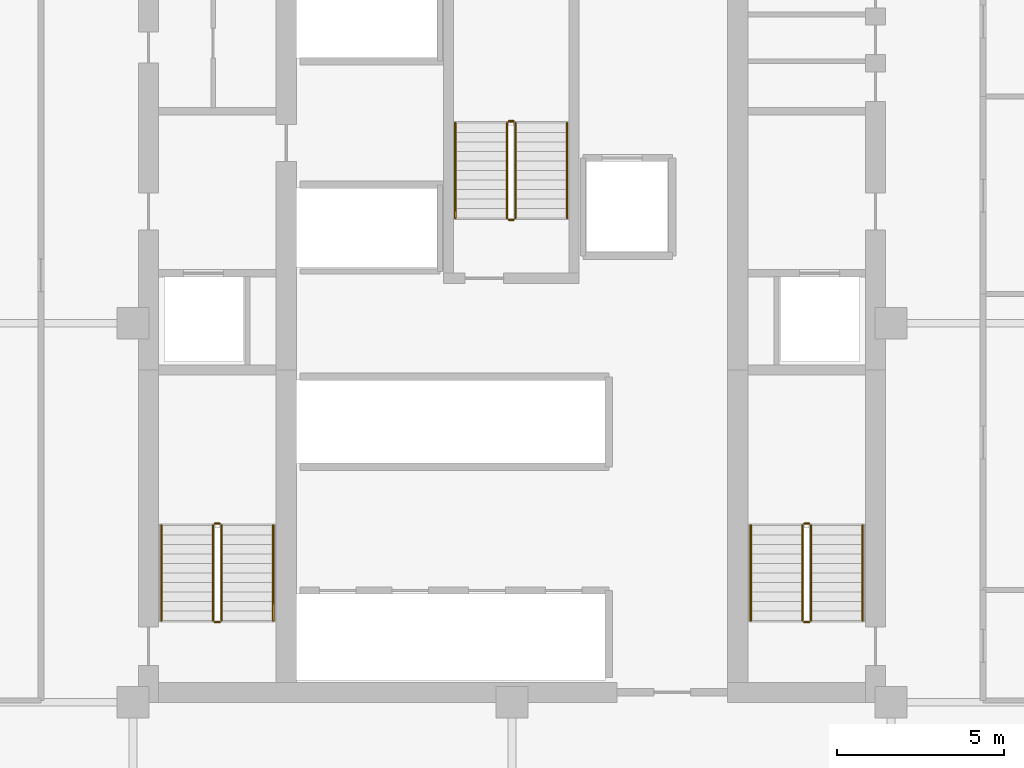
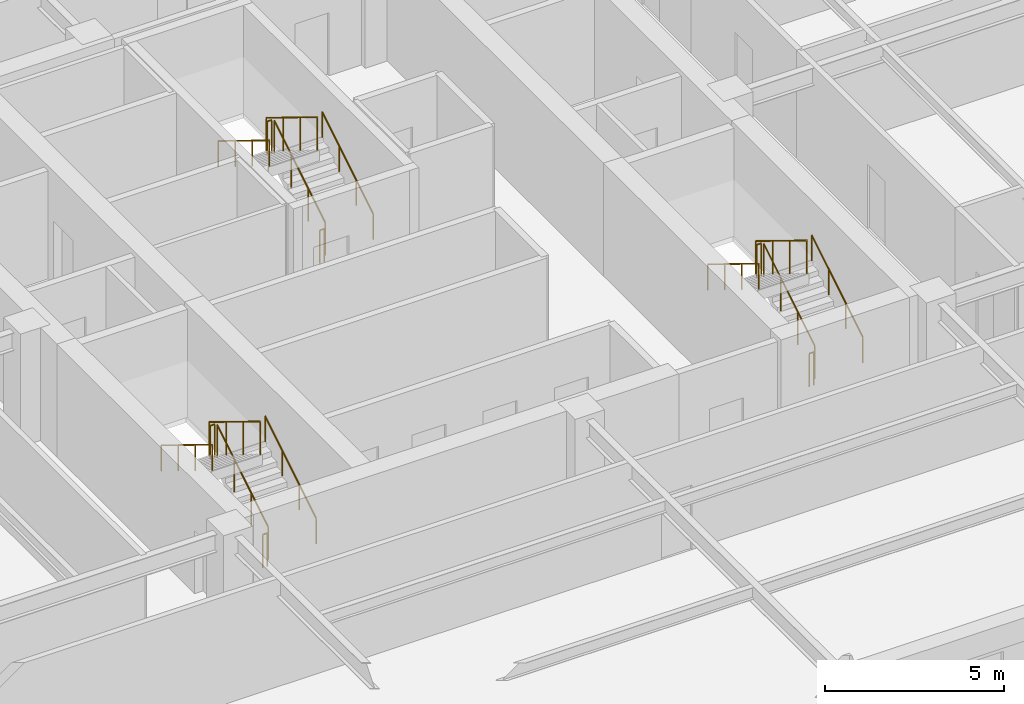
# One storey, part 6 of 6: 18 railings.
"""IFC4 building model written with IfcOpenShell, lengths in metres."""

from ifc_helpers import new_model, si_unit, direction, frame, origin, origin_2d, place, context, subcontext, project, spatial, circle, extrude, material, type_object, element, save


model = new_model("IFC4")

# Units and contexts
model_context = context("Model", 3, precision=1e-05, world=origin(), true_north=direction((0.0, 1.0)))
body_context = subcontext(model_context, "Body", "Model", "MODEL_VIEW")
ifc_project = project(units=[si_unit("LENGTHUNIT", "METRE"), si_unit("AREAUNIT", "SQUARE_METRE"), si_unit("VOLUMEUNIT", "CUBIC_METRE"), si_unit("PLANEANGLEUNIT", "RADIAN"), si_unit("MASSUNIT", "GRAM", prefix="KILO")], contexts=[model_context])

# Site, building, storey
site_placement = place(None, origin())
site = spatial("IfcSite", under=ifc_project, at=site_placement, CompositionType="ELEMENT")
building_placement = place(site_placement, origin())
building = spatial("IfcBuilding", under=site, at=building_placement, Name="Nhamokura Convention Tower", CompositionType="ELEMENT")
storey_placement = place(building_placement, frame((0.0, 0.0, 152.949951171875)))
storey = spatial("IfcBuildingStorey", under=building, at=storey_placement, Name="L37", CompositionType="ELEMENT", Elevation=152.949951171875)

# Railings
ifc_material_1 = material(Name="Anodised bronze stainless steel", Category="steel")
railing_type_1 = type_object("IfcRailingType", Name="StairWallHandrail_900", PredefinedType="HANDRAIL", material=ifc_material_1)
railing_1_placement = place(storey_placement, frame((24.85009765625, 23.10009765625, 0.175048828125)))
element("IfcRailing", 1, at=railing_1_placement, inside=storey, type_object=railing_type_1, Name="L37 ST-01 stair handrail 1", PredefinedType="HANDRAIL", context=body_context, shape_type="SweptSolid", body=[
    extrude(circle(Radius=0.02392578125, at=origin_2d()), frame((0.0, 0.0, 0.8759765625), z_axis=(0.0, 0.852159232446, 0.523282564737), x_axis=(-1.0, 0.0, 0.0)), (0.0, 0.0, 1.0), 3.34423828125),
    extrude(circle(Radius=0.02099609375, at=origin_2d()), origin(), (0.0, 0.0, 1.0), 0.851806640625),
    extrude(circle(Radius=0.02099609375, at=origin_2d()), frame((0.0, 0.949951171875, 0.583251953125)), (0.0, 0.0, 1.0), 0.851806640625),
    extrude(circle(Radius=0.02099609375, at=origin_2d()), frame((0.0, 1.89990234375, 1.166748046875)), (0.0, 0.0, 1.0), 0.851806640625),
    extrude(circle(Radius=0.02099609375, at=origin_2d()), frame((0.0, 2.849853515625, 1.75)), (0.0, 0.0, 1.0), 0.851806640625),
])
railing_2_placement = place(storey_placement, frame((21.5, 25.949951171875, 2.10009765625)))
element("IfcRailing", 2, at=railing_2_placement, inside=storey, type_object=railing_type_1, Name="L37 ST-01 stair handrail 2", PredefinedType="HANDRAIL", context=body_context, shape_type="SweptSolid", body=[
    extrude(circle(Radius=0.02392578125, at=origin_2d()), frame((0.0, 0.0, 0.8759765625), z_axis=(0.0, -0.852159232446, 0.523282564737), x_axis=(1.0, 0.0, 0.0)), (0.0, 0.0, 1.0), 3.34423828125),
    extrude(circle(Radius=0.02099609375, at=origin_2d()), origin(), (0.0, 0.0, 1.0), 0.851806640625),
    extrude(circle(Radius=0.02099609375, at=origin_2d()), frame((0.0, -0.949951171875, 0.583251953125)), (0.0, 0.0, 1.0), 0.851806640625),
    extrude(circle(Radius=0.02099609375, at=origin_2d()), frame((0.0, -1.89990234375, 1.166748046875)), (0.0, 0.0, 1.0), 0.851806640625),
    extrude(circle(Radius=0.02099609375, at=origin_2d()), frame((0.0, -2.849853515625, 1.75)), (0.0, 0.0, 1.0), 0.851806640625),
])
railing_3_placement = place(storey_placement, frame((42.5, 23.10009765625, 0.175048828125)))
element("IfcRailing", 3, at=railing_3_placement, inside=storey, type_object=railing_type_1, Name="L37 ST-02 stair handrail 1", PredefinedType="HANDRAIL", context=body_context, shape_type="SweptSolid", body=[
    extrude(circle(Radius=0.02392578125, at=origin_2d()), frame((0.0, 0.0, 0.8759765625), z_axis=(0.0, 0.852159232446, 0.523282564737), x_axis=(-1.0, 0.0, 0.0)), (0.0, 0.0, 1.0), 3.34423828125),
    extrude(circle(Radius=0.02099609375, at=origin_2d()), origin(), (0.0, 0.0, 1.0), 0.851806640625),
    extrude(circle(Radius=0.02099609375, at=origin_2d()), frame((0.0, 0.949951171875, 0.583251953125)), (0.0, 0.0, 1.0), 0.851806640625),
    extrude(circle(Radius=0.02099609375, at=origin_2d()), frame((0.0, 1.89990234375, 1.166748046875)), (0.0, 0.0, 1.0), 0.851806640625),
    extrude(circle(Radius=0.02099609375, at=origin_2d()), frame((0.0, 2.849853515625, 1.75)), (0.0, 0.0, 1.0), 0.851806640625),
])
railing_4_placement = place(storey_placement, frame((39.14990234375, 25.949951171875, 2.10009765625)))
element("IfcRailing", 4, at=railing_4_placement, inside=storey, type_object=railing_type_1, Name="L37 ST-02 stair handrail 2", PredefinedType="HANDRAIL", context=body_context, shape_type="SweptSolid", body=[
    extrude(circle(Radius=0.02392578125, at=origin_2d()), frame((0.0, 0.0, 0.8759765625), z_axis=(0.0, -0.852159232446, 0.523282564737), x_axis=(1.0, 0.0, 0.0)), (0.0, 0.0, 1.0), 3.34423828125),
    extrude(circle(Radius=0.02099609375, at=origin_2d()), origin(), (0.0, 0.0, 1.0), 0.851806640625),
    extrude(circle(Radius=0.02099609375, at=origin_2d()), frame((0.0, -0.949951171875, 0.583251953125)), (0.0, 0.0, 1.0), 0.851806640625),
    extrude(circle(Radius=0.02099609375, at=origin_2d()), frame((0.0, -1.89990234375, 1.166748046875)), (0.0, 0.0, 1.0), 0.851806640625),
    extrude(circle(Radius=0.02099609375, at=origin_2d()), frame((0.0, -2.849853515625, 1.75)), (0.0, 0.0, 1.0), 0.851806640625),
])
railing_5_placement = place(storey_placement, frame((33.64990234375, 35.14990234375, 0.175048828125)))
element("IfcRailing", 5, at=railing_5_placement, inside=storey, type_object=railing_type_1, Name="L37 ST-03 stair handrail 1", PredefinedType="HANDRAIL", context=body_context, shape_type="SweptSolid", body=[
    extrude(circle(Radius=0.02392578125, at=origin_2d()), frame((0.0, 0.0, 0.8759765625), z_axis=(0.0, 0.852179220489, 0.52325001306), x_axis=(-1.0, 0.0, 0.0)), (0.0, 0.0, 1.0), 3.344482421875),
    extrude(circle(Radius=0.02099609375, at=origin_2d()), origin(), (0.0, 0.0, 1.0), 0.851806640625),
    extrude(circle(Radius=0.02099609375, at=origin_2d()), frame((0.0, 0.949951171875, 0.583251953125)), (0.0, 0.0, 1.0), 0.851806640625),
    extrude(circle(Radius=0.02099609375, at=origin_2d()), frame((0.0, 1.900146484375, 1.166748046875)), (0.0, 0.0, 1.0), 0.851806640625),
    extrude(circle(Radius=0.02099609375, at=origin_2d()), frame((0.0, 2.85009765625, 1.75)), (0.0, 0.0, 1.0), 0.851806640625),
])
railing_6_placement = place(storey_placement, frame((30.300048828125, 38.0, 2.10009765625)))
element("IfcRailing", 6, at=railing_6_placement, inside=storey, type_object=railing_type_1, Name="L37 ST-03 stair handrail 2", PredefinedType="HANDRAIL", context=body_context, shape_type="SweptSolid", body=[
    extrude(circle(Radius=0.02392578125, at=origin_2d()), frame((0.0, 0.0, 0.8759765625), z_axis=(0.0, -0.852179220489, 0.52325001306), x_axis=(1.0, 0.0, 0.0)), (0.0, 0.0, 1.0), 3.344482421875),
    extrude(circle(Radius=0.02099609375, at=origin_2d()), origin(), (0.0, 0.0, 1.0), 0.851806640625),
    extrude(circle(Radius=0.02099609375, at=origin_2d()), frame((0.0, -0.949951171875, 0.583251953125)), (0.0, 0.0, 1.0), 0.851806640625),
    extrude(circle(Radius=0.02099609375, at=origin_2d()), frame((0.0, -1.900146484375, 1.166748046875)), (0.0, 0.0, 1.0), 0.851806640625),
    extrude(circle(Radius=0.02099609375, at=origin_2d()), frame((0.0, -2.85009765625, 1.75)), (0.0, 0.0, 1.0), 0.851806640625),
])
ifc_material_2 = material(Name="Painted tubular steel", Category="steel")
railing_type_2 = type_object("IfcRailingType", Name="StairWellGuardrail_1150", PredefinedType="GUARDRAIL", material=ifc_material_2)
railing_7_placement = place(storey_placement, frame((23.300048828125, 23.10009765625, 0.175048828125)))
element("IfcRailing", 7, at=railing_7_placement, inside=storey, type_object=railing_type_2, Name="L37 ST-01 stair guard 1", PredefinedType="GUARDRAIL", context=body_context, shape_type="SweptSolid", body=[
    extrude(circle(Radius=0.02392578125, at=origin_2d()), frame((0.0, 0.0, 1.1259765625), z_axis=(0.0, 0.852159232446, 0.523282564737), x_axis=(-1.0, 0.0, 0.0)), (0.0, 0.0, 1.0), 3.34423828125),
    extrude(circle(Radius=0.02099609375, at=origin_2d()), origin(), (0.0, 0.0, 1.0), 1.101806640625),
    extrude(circle(Radius=0.02099609375, at=origin_2d()), frame((0.0, 0.949951171875, 0.583251953125)), (0.0, 0.0, 1.0), 1.101806640625),
    extrude(circle(Radius=0.02099609375, at=origin_2d()), frame((0.0, 1.89990234375, 1.166748046875)), (0.0, 0.0, 1.0), 1.101806640625),
    extrude(circle(Radius=0.02099609375, at=origin_2d()), frame((0.0, 2.849853515625, 1.75)), (0.0, 0.0, 1.0), 1.101806640625),
])
railing_8_placement = place(storey_placement, frame((23.25, 26.0, 1.925048828125)))
element("IfcRailing", 8, at=railing_8_placement, inside=storey, type_object=railing_type_2, Name="L37 ST-01 stair guard 2", PredefinedType="GUARDRAIL", context=body_context, shape_type="SweptSolid", body=[
    extrude(circle(Radius=0.02392578125, at=origin_2d()), frame((0.0, 0.0, 1.1259765625), z_axis=(-1.0, 0.0, 0.0), x_axis=(0.0, -1.0, 0.0)), (0.0, 0.0, 1.0), 0.14990234375),
    extrude(circle(Radius=0.02099609375, at=origin_2d()), origin(), (0.0, 0.0, 1.0), 1.101806640625),
    extrude(circle(Radius=0.02099609375, at=origin_2d()), frame((-0.14990234375, 0.0, 0.0)), (0.0, 0.0, 1.0), 1.101806640625),
])
railing_9_placement = place(storey_placement, frame((23.050048828125, 25.949951171875, 2.10009765625)))
element("IfcRailing", 9, at=railing_9_placement, inside=storey, type_object=railing_type_2, Name="L37 ST-01 stair guard 3", PredefinedType="GUARDRAIL", context=body_context, shape_type="SweptSolid", body=[
    extrude(circle(Radius=0.02392578125, at=origin_2d()), frame((0.0, 0.0, 1.1259765625), z_axis=(0.0, -0.852159232446, 0.523282564737), x_axis=(1.0, 0.0, 0.0)), (0.0, 0.0, 1.0), 3.34423828125),
    extrude(circle(Radius=0.02099609375, at=origin_2d()), origin(), (0.0, 0.0, 1.0), 1.101806640625),
    extrude(circle(Radius=0.02099609375, at=origin_2d()), frame((0.0, -0.949951171875, 0.583251953125)), (0.0, 0.0, 1.0), 1.101806640625),
    extrude(circle(Radius=0.02099609375, at=origin_2d()), frame((0.0, -1.89990234375, 1.166748046875)), (0.0, 0.0, 1.0), 1.101806640625),
    extrude(circle(Radius=0.02099609375, at=origin_2d()), frame((0.0, -2.849853515625, 1.75)), (0.0, 0.0, 1.0), 1.101806640625),
])
railing_10_placement = place(storey_placement, frame((23.25, 23.050048828125, 0.0)))
element("IfcRailing", 10, at=railing_10_placement, inside=storey, type_object=railing_type_2, Name="L37 ST-01 stair guard 4", PredefinedType="GUARDRAIL", context=body_context, shape_type="SweptSolid", body=[
    extrude(circle(Radius=0.02392578125, at=origin_2d()), frame((0.0, 0.0, 1.1259765625), z_axis=(-1.0, 0.0, 0.0), x_axis=(0.0, -1.0, 0.0)), (0.0, 0.0, 1.0), 0.14990234375),
    extrude(circle(Radius=0.02099609375, at=origin_2d()), origin(), (0.0, 0.0, 1.0), 1.101806640625),
    extrude(circle(Radius=0.02099609375, at=origin_2d()), frame((-0.14990234375, 0.0, 0.0)), (0.0, 0.0, 1.0), 1.101806640625),
])
railing_11_placement = place(storey_placement, frame((40.949951171875, 23.10009765625, 0.175048828125)))
element("IfcRailing", 11, at=railing_11_placement, inside=storey, type_object=railing_type_2, Name="L37 ST-02 stair guard 1", PredefinedType="GUARDRAIL", context=body_context, shape_type="SweptSolid", body=[
    extrude(circle(Radius=0.02392578125, at=origin_2d()), frame((0.0, 0.0, 1.1259765625), z_axis=(0.0, 0.852159232446, 0.523282564737), x_axis=(-1.0, 0.0, 0.0)), (0.0, 0.0, 1.0), 3.34423828125),
    extrude(circle(Radius=0.02099609375, at=origin_2d()), origin(), (0.0, 0.0, 1.0), 1.101806640625),
    extrude(circle(Radius=0.02099609375, at=origin_2d()), frame((0.0, 0.949951171875, 0.583251953125)), (0.0, 0.0, 1.0), 1.101806640625),
    extrude(circle(Radius=0.02099609375, at=origin_2d()), frame((0.0, 1.89990234375, 1.166748046875)), (0.0, 0.0, 1.0), 1.101806640625),
    extrude(circle(Radius=0.02099609375, at=origin_2d()), frame((0.0, 2.849853515625, 1.75)), (0.0, 0.0, 1.0), 1.101806640625),
])
railing_12_placement = place(storey_placement, frame((40.89990234375, 26.0, 1.925048828125)))
element("IfcRailing", 12, at=railing_12_placement, inside=storey, type_object=railing_type_2, Name="L37 ST-02 stair guard 2", PredefinedType="GUARDRAIL", context=body_context, shape_type="SweptSolid", body=[
    extrude(circle(Radius=0.02392578125, at=origin_2d()), frame((0.0, 0.0, 1.1259765625), z_axis=(-1.0, 0.0, 0.0), x_axis=(0.0, -1.0, 0.0)), (0.0, 0.0, 1.0), 0.14990234375),
    extrude(circle(Radius=0.02099609375, at=origin_2d()), origin(), (0.0, 0.0, 1.0), 1.101806640625),
    extrude(circle(Radius=0.02099609375, at=origin_2d()), frame((-0.14990234375, 0.0, 0.0)), (0.0, 0.0, 1.0), 1.101806640625),
])
railing_13_placement = place(storey_placement, frame((40.699951171875, 25.949951171875, 2.10009765625)))
element("IfcRailing", 13, at=railing_13_placement, inside=storey, type_object=railing_type_2, Name="L37 ST-02 stair guard 3", PredefinedType="GUARDRAIL", context=body_context, shape_type="SweptSolid", body=[
    extrude(circle(Radius=0.02392578125, at=origin_2d()), frame((0.0, 0.0, 1.1259765625), z_axis=(0.0, -0.852159232446, 0.523282564737), x_axis=(1.0, 0.0, 0.0)), (0.0, 0.0, 1.0), 3.34423828125),
    extrude(circle(Radius=0.02099609375, at=origin_2d()), origin(), (0.0, 0.0, 1.0), 1.101806640625),
    extrude(circle(Radius=0.02099609375, at=origin_2d()), frame((0.0, -0.949951171875, 0.583251953125)), (0.0, 0.0, 1.0), 1.101806640625),
    extrude(circle(Radius=0.02099609375, at=origin_2d()), frame((0.0, -1.89990234375, 1.166748046875)), (0.0, 0.0, 1.0), 1.101806640625),
    extrude(circle(Radius=0.02099609375, at=origin_2d()), frame((0.0, -2.849853515625, 1.75)), (0.0, 0.0, 1.0), 1.101806640625),
])
railing_14_placement = place(storey_placement, frame((40.89990234375, 23.050048828125, 0.0)))
element("IfcRailing", 14, at=railing_14_placement, inside=storey, type_object=railing_type_2, Name="L37 ST-02 stair guard 4", PredefinedType="GUARDRAIL", context=body_context, shape_type="SweptSolid", body=[
    extrude(circle(Radius=0.02392578125, at=origin_2d()), frame((0.0, 0.0, 1.1259765625), z_axis=(-1.0, 0.0, 0.0), x_axis=(0.0, -1.0, 0.0)), (0.0, 0.0, 1.0), 0.14990234375),
    extrude(circle(Radius=0.02099609375, at=origin_2d()), origin(), (0.0, 0.0, 1.0), 1.101806640625),
    extrude(circle(Radius=0.02099609375, at=origin_2d()), frame((-0.14990234375, 0.0, 0.0)), (0.0, 0.0, 1.0), 1.101806640625),
])
railing_15_placement = place(storey_placement, frame((32.10009765625, 35.14990234375, 0.175048828125)))
element("IfcRailing", 15, at=railing_15_placement, inside=storey, type_object=railing_type_2, Name="L37 ST-03 stair guard 1", PredefinedType="GUARDRAIL", context=body_context, shape_type="SweptSolid", body=[
    extrude(circle(Radius=0.02392578125, at=origin_2d()), frame((0.0, 0.0, 1.1259765625), z_axis=(0.0, 0.852179220489, 0.52325001306), x_axis=(-1.0, 0.0, 0.0)), (0.0, 0.0, 1.0), 3.344482421875),
    extrude(circle(Radius=0.02099609375, at=origin_2d()), origin(), (0.0, 0.0, 1.0), 1.101806640625),
    extrude(circle(Radius=0.02099609375, at=origin_2d()), frame((0.0, 0.949951171875, 0.583251953125)), (0.0, 0.0, 1.0), 1.101806640625),
    extrude(circle(Radius=0.02099609375, at=origin_2d()), frame((0.0, 1.900146484375, 1.166748046875)), (0.0, 0.0, 1.0), 1.101806640625),
    extrude(circle(Radius=0.02099609375, at=origin_2d()), frame((0.0, 2.85009765625, 1.75)), (0.0, 0.0, 1.0), 1.101806640625),
])
railing_16_placement = place(storey_placement, frame((32.050048828125, 38.050048828125, 1.925048828125)))
element("IfcRailing", 16, at=railing_16_placement, inside=storey, type_object=railing_type_2, Name="L37 ST-03 stair guard 2", PredefinedType="GUARDRAIL", context=body_context, shape_type="SweptSolid", body=[
    extrude(circle(Radius=0.02392578125, at=origin_2d()), frame((0.0, 0.0, 1.1259765625), z_axis=(-1.0, 0.0, 0.0), x_axis=(0.0, -1.0, 0.0)), (0.0, 0.0, 1.0), 0.150146484375),
    extrude(circle(Radius=0.02099609375, at=origin_2d()), origin(), (0.0, 0.0, 1.0), 1.101806640625),
    extrude(circle(Radius=0.02099609375, at=origin_2d()), frame((-0.150146484375, 0.0, 0.0)), (0.0, 0.0, 1.0), 1.101806640625),
])
railing_17_placement = place(storey_placement, frame((31.85009765625, 38.0, 2.10009765625)))
element("IfcRailing", 17, at=railing_17_placement, inside=storey, type_object=railing_type_2, Name="L37 ST-03 stair guard 3", PredefinedType="GUARDRAIL", context=body_context, shape_type="SweptSolid", body=[
    extrude(circle(Radius=0.02392578125, at=origin_2d()), frame((0.0, 0.0, 1.1259765625), z_axis=(0.0, -0.852179220489, 0.52325001306), x_axis=(1.0, 0.0, 0.0)), (0.0, 0.0, 1.0), 3.344482421875),
    extrude(circle(Radius=0.02099609375, at=origin_2d()), origin(), (0.0, 0.0, 1.0), 1.101806640625),
    extrude(circle(Radius=0.02099609375, at=origin_2d()), frame((0.0, -0.949951171875, 0.583251953125)), (0.0, 0.0, 1.0), 1.101806640625),
    extrude(circle(Radius=0.02099609375, at=origin_2d()), frame((0.0, -1.900146484375, 1.166748046875)), (0.0, 0.0, 1.0), 1.101806640625),
    extrude(circle(Radius=0.02099609375, at=origin_2d()), frame((0.0, -2.85009765625, 1.75)), (0.0, 0.0, 1.0), 1.101806640625),
])
railing_18_placement = place(storey_placement, frame((32.050048828125, 35.10009765625, 0.0)))
element("IfcRailing", 18, at=railing_18_placement, inside=storey, type_object=railing_type_2, Name="L37 ST-03 stair guard 4", PredefinedType="GUARDRAIL", context=body_context, shape_type="SweptSolid", body=[
    extrude(circle(Radius=0.02392578125, at=origin_2d()), frame((0.0, 0.0, 1.1259765625), z_axis=(-1.0, 0.0, 0.0), x_axis=(0.0, -1.0, 0.0)), (0.0, 0.0, 1.0), 0.150146484375),
    extrude(circle(Radius=0.02099609375, at=origin_2d()), origin(), (0.0, 0.0, 1.0), 1.101806640625),
    extrude(circle(Radius=0.02099609375, at=origin_2d()), frame((-0.150146484375, 0.0, 0.0)), (0.0, 0.0, 1.0), 1.101806640625),
])

save(model, "model.ifc")
